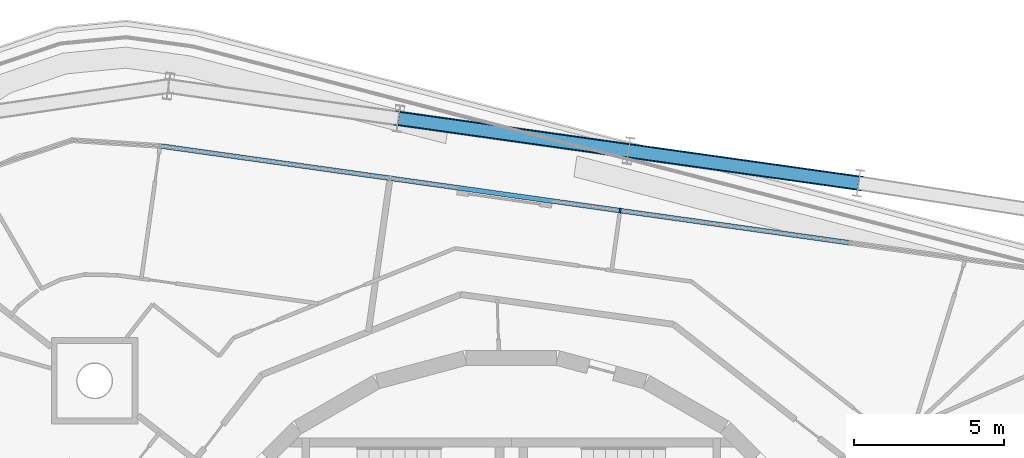
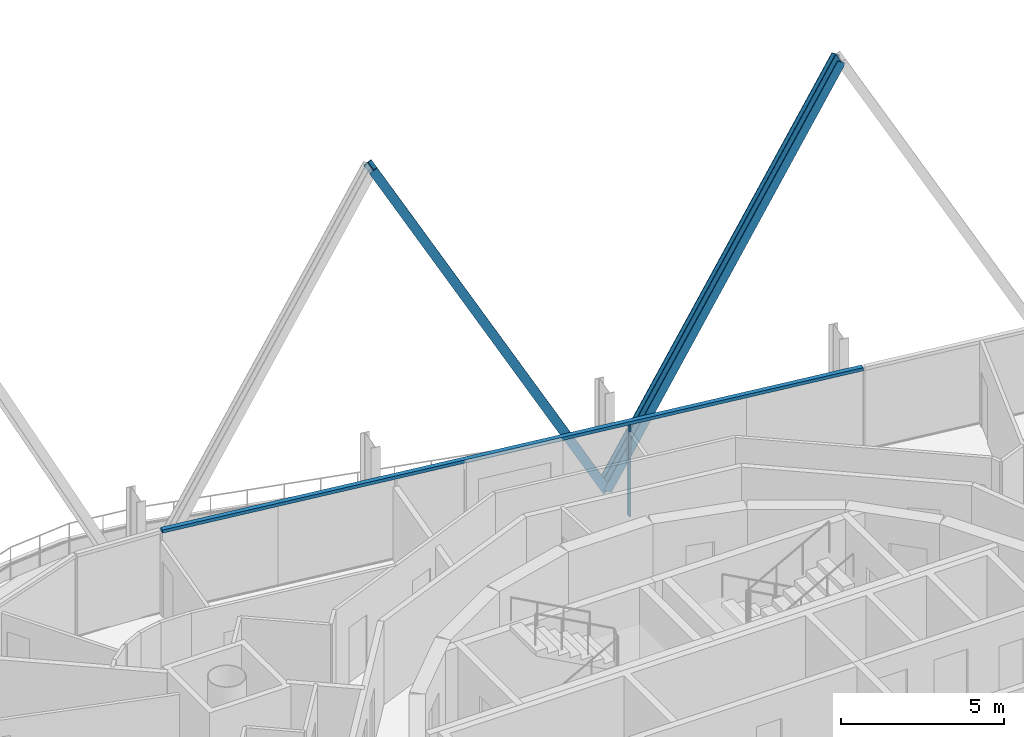
# One storey, part 6 of 17: 4 members, 1 element without a shape of its own.
"""IFC4 building model written with IfcOpenShell, lengths in metres."""

from ifc_helpers import new_model, si_unit, direction, frame, origin, origin_2d, place, context, subcontext, project, spatial, rectangle, i_section, extrude, material, layer, layer_set, material_profile, profile_set, type_object, element, aggregate, save


model = new_model("IFC4")

# Units and contexts
model_context = context("Model", 3, precision=1e-05, world=origin(), true_north=direction((0.0, 1.0)))
body_context = subcontext(model_context, "Body", "Model", "MODEL_VIEW")
ifc_project = project(units=[si_unit("LENGTHUNIT", "METRE"), si_unit("AREAUNIT", "SQUARE_METRE"), si_unit("VOLUMEUNIT", "CUBIC_METRE"), si_unit("PLANEANGLEUNIT", "RADIAN"), si_unit("MASSUNIT", "GRAM", prefix="KILO")], contexts=[model_context])

# Site, building, storey
site_placement = place(None, origin())
site = spatial("IfcSite", under=ifc_project, at=site_placement, CompositionType="ELEMENT")
building_placement = place(site_placement, origin())
building = spatial("IfcBuilding", under=site, at=building_placement, Name="Spindle Arch Residences", CompositionType="ELEMENT")
storey_placement = place(building_placement, frame((0.0, 0.0, 333.0)))
storey = spatial("IfcBuildingStorey", under=building, at=storey_placement, Name="L85", CompositionType="ELEMENT", Elevation=333.0)

# Curtain wall, members
ifc_material_1 = material(Name="Aluminium bronze unitised frame with tinted glass", Category="aluminium")
ifc_layer = layer(ifc_material_1, 0.159912109375)
ifc_layer_set = layer_set([ifc_layer], Name="CW-C typical residential unitised wall")
curtain_wall_type = type_object("IfcCurtainWallType", Name="CW-C typical residential unitised wall", PredefinedType="NOTDEFINED", material=ifc_layer_set)
curtain_wall_placement = place(storey_placement, origin())
curtain_wall = element("IfcCurtainWall", 1, at=curtain_wall_placement, inside=storey, type_object=curtain_wall_type, Name="CW-C L85 run 2", PredefinedType="NOTDEFINED")
ifc_material_2 = material(Name="Aluminium bronze anodised mullion", Category="aluminium")
ifc_material_profile_1 = material_profile(ifc_material_2, rectangle(XDim=0.159912109375, YDim=0.06005859375, at=origin_2d()), Name="MU 60x160")
ifc_profile_set_1 = profile_set([ifc_material_profile_1], Name="Aluminium bronze anodised mullion")
member_type_1 = type_object("IfcMemberType", Name="Bronze mullion 60x160", PredefinedType="MULLION", material=ifc_profile_set_1)
member_1_placement = place(storey_placement, frame((3.63623046875, 16.57373046875, -0.449951171875), z_axis=(0.0, 0.0, 1.0), x_axis=(-0.13917310096, -0.990268068742, 0.0)))
member_1 = element("IfcMember", 2, at=member_1_placement, type_object=member_type_1, Name="CW-C mullion 06", PredefinedType="MULLION", context=body_context, shape_type="SweptSolid", body=[
    extrude(rectangle(XDim=0.159912109375, YDim=0.06005859375, at=origin_2d()), origin(), (0.0, 0.0, 1.0), 3.449951171875),
])
ifc_material_3 = material(Name="Aluminium bronze anodised transom", Category="aluminium")
ifc_material_profile_2 = material_profile(ifc_material_3, rectangle(XDim=0.159912109375, YDim=0.1201171875, at=origin_2d()), Name="TR 120x160")
ifc_profile_set_2 = profile_set([ifc_material_profile_2], Name="Aluminium bronze anodised transom")
member_type_2 = type_object("IfcMemberType", Name="Bronze transom 120x160", PredefinedType="USERDEFINED", material=ifc_profile_set_2)
member_2_placement = place(storey_placement, frame((11.296630859375, 15.4970703125, 3.06005859375), z_axis=(-0.990268437621, 0.13917047622, 0.0), x_axis=(-0.13917047622, -0.990268437621, 0.0)))
member_2 = element("IfcMember", 3, at=member_2_placement, type_object=member_type_2, Name="CW-C transom 00", ObjectType="TRANSOM", PredefinedType="USERDEFINED", context=body_context, shape_type="SweptSolid", body=[
    extrude(rectangle(XDim=0.159912109375, YDim=0.1201171875, at=origin_2d()), origin(), (0.0, 0.0, 1.0), 23.23681640625),
])
aggregate(curtain_wall, [member_2, member_1])

# Members
ifc_material_4 = material(Name="Steel S460ML, intumescent coating R 240", Category="steel")
ifc_material_profile_3 = material_profile(ifc_material_4, i_section(OverallWidth=0.300048828125, OverallDepth=0.5, WebThickness=0.014404296875, FlangeThickness=0.028076171875, FilletRadius=0.027099609375, at=origin_2d()), Name="HEB 500")
ifc_profile_set_3 = profile_set([ifc_material_profile_3], Name="Steel S460ML, intumescent coating R 240")
member_type_3 = type_object("IfcMemberType", Name="Diagrid diagonal HEB 500", PredefinedType="BRACE", material=ifc_profile_set_3)
for number, where, z_axis, x_axis, name in (
    (4, (3.91748046875, 18.573974609375, -0.699951171875), (0.478504364303, -0.067253121492, 0.875505905744), (-0.86698461383, 0.121853479123, 0.483207418204), "Diagrid diagonal 9.1.6"),
    (5, (3.91748046875, 18.573974609375, -0.699951171875), (-0.478516077393, 0.067252632611, 0.875499541453), (0.866978844649, -0.121848799811, 0.483218949252), "Diagrid diagonal 9.1.7"),
):
    element("IfcMember", number, at=place(storey_placement, frame(where, z_axis=z_axis, x_axis=x_axis)), inside=storey, type_object=member_type_3, Name=name, PredefinedType="BRACE", context=body_context, shape_type="SweptSolid", body=[
        extrude(i_section(OverallWidth=0.300048828125, OverallDepth=0.5, WebThickness=0.014404296875, FlangeThickness=0.028076171875, FilletRadius=0.027099609375, at=origin_2d()), origin(), (0.0, 0.0, 1.0), 16.07080078125),
    ])

save(model, "model.ifc")
